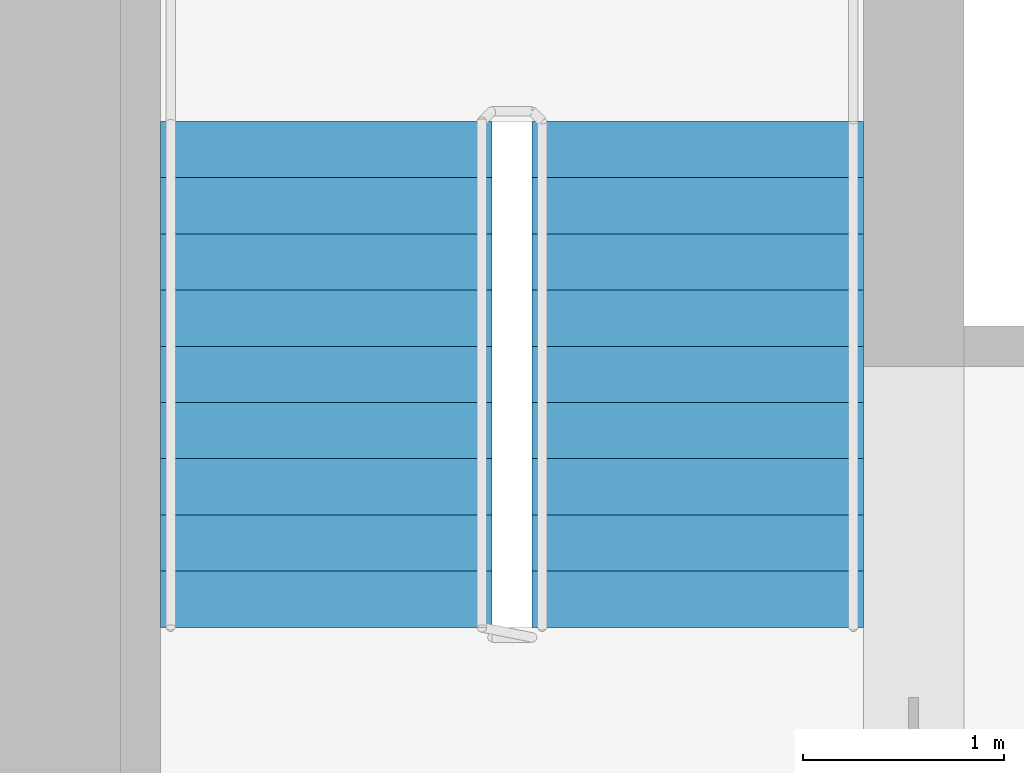
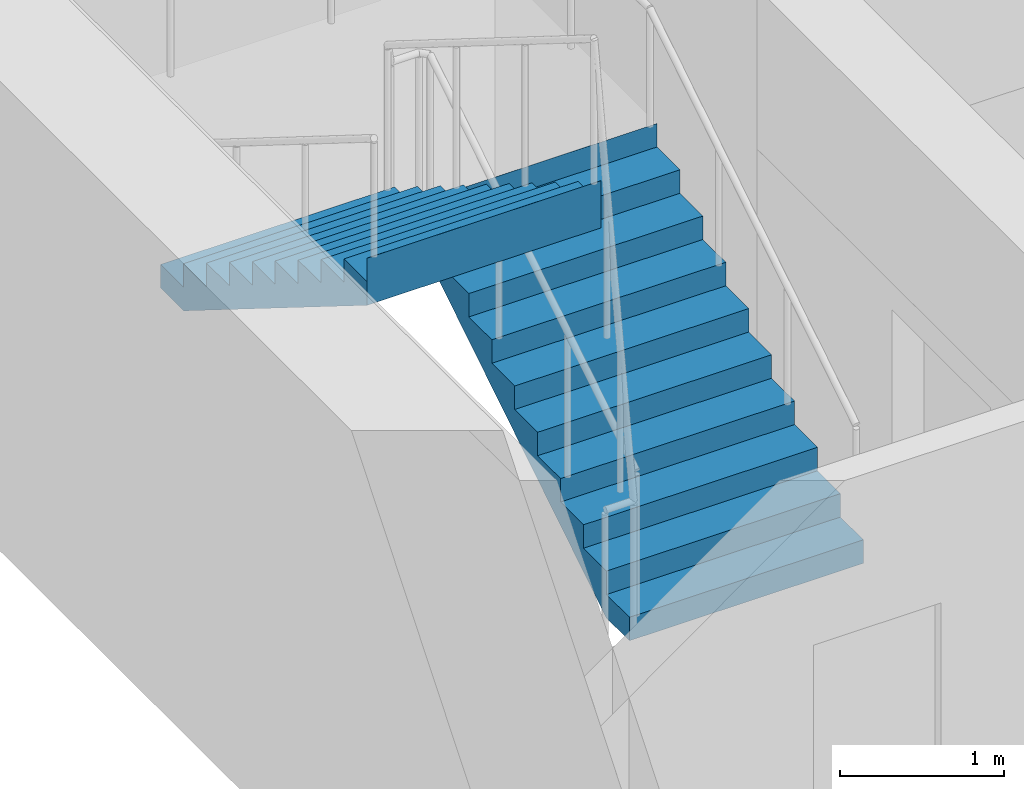
# One storey, part 13 of 14: 2 stair flights, 1 element without a shape of its own.
"""IFC4 building model written with IfcOpenShell, lengths in metres."""

from ifc_helpers import new_model, si_unit, direction, frame, origin, place, context, subcontext, project, spatial, polyline, outline, extrude, material, type_object, element, aggregate, save


model = new_model("IFC4")

# Units and contexts
model_context = context("Model", 3, precision=1e-05, world=origin(), true_north=direction((0.0, 1.0)))
body_context = subcontext(model_context, "Body", "Model", "MODEL_VIEW")
ifc_project = project(units=[si_unit("LENGTHUNIT", "METRE"), si_unit("AREAUNIT", "SQUARE_METRE"), si_unit("VOLUMEUNIT", "CUBIC_METRE"), si_unit("PLANEANGLEUNIT", "RADIAN"), si_unit("MASSUNIT", "GRAM", prefix="KILO")], contexts=[model_context])

# Site, building, storey
site_placement = place(None, origin())
site = spatial("IfcSite", under=ifc_project, at=site_placement, CompositionType="ELEMENT")
building_placement = place(site_placement, origin())
building = spatial("IfcBuilding", under=site, at=building_placement, Name="Tamorin Gate", CompositionType="ELEMENT")
storey_placement = place(building_placement, frame((0.0, 0.0, 189.699951171875)))
storey = spatial("IfcBuildingStorey", under=building, at=storey_placement, Name="L46", CompositionType="ELEMENT", Elevation=189.699951171875)

# Stair, stair flights
ifc_material = material(Name="Concrete C40/50", Category="concrete")
stair_type = type_object("IfcStairType", Name="Exit stair", PredefinedType="HALF_TURN_STAIR", material=ifc_material)
stair_placement = place(storey_placement, origin())
stair = element("IfcStair", 1, at=stair_placement, inside=storey, type_object=stair_type, Name="L46 stair ST2", PredefinedType="HALF_TURN_STAIR")
stair_flight_type = type_object("IfcStairFlightType", Name="Exit stair flight", PredefinedType="STRAIGHT", material=ifc_material)
stair_flight_1_placement = place(storey_placement, frame((33.675048828125, 77.0, 0.0), z_axis=(0.0, 0.0, 1.0), x_axis=(0.0, 1.0, 0.0)))
stair_flight_1 = element("IfcStairFlight", 2, at=stair_flight_1_placement, type_object=stair_flight_type, Name="ST2 flight 1", NumberOfRisers=10, NumberOfTreads=9, PredefinedType="STRAIGHT", RiserHeight=0.175, TreadLength=0.28, context=body_context, shape_type="SweptSolid", body=[
    extrude(outline(polyline([(-0.00048828125, 0.0), (-0.00048828125, 0.001708984375), (-0.00048828125, 0.00341796875), (-0.00048828125, 0.005126953125), (-0.00048828125, 0.0068359375), (-0.00048828125, 0.008544921875), (-0.00048828125, 0.010498046875), (-0.00048828125, 0.01220703125), (-0.00048828125, 0.013916015625), (-0.00048828125, 0.015625), (-0.00048828125, 0.017333984375), (-0.00048828125, 0.01904296875), (-0.00048828125, 0.020751953125), (-0.00048828125, 0.0224609375), (-0.00048828125, 0.024169921875), (-0.00048828125, 0.02587890625), (-0.00048828125, 0.02783203125), (-0.00048828125, 0.029541015625), (-0.00048828125, 0.03125), (-0.00048828125, 0.032958984375), (-0.00048828125, 0.03466796875), (-0.00048828125, 0.036376953125), (-0.00048828125, 0.0380859375), (-0.00048828125, 0.039794921875), (-0.00048828125, 0.04150390625), (-0.00048828125, 0.043212890625), (-0.00048828125, 0.045166015625), (-0.00048828125, 0.046875), (-0.00048828125, 0.048583984375), (-0.00048828125, 0.05029296875), (-0.00048828125, 0.052001953125), (-0.00048828125, 0.0537109375), (-0.00048828125, 0.055419921875), (-0.00048828125, 0.05712890625), (-0.00048828125, 0.058837890625), (-0.00048828125, 0.060546875), (-0.00048828125, 0.062255859375), (-0.00048828125, 0.064208984375), (-0.00048828125, 0.06591796875), (-0.00048828125, 0.067626953125), (-0.00048828125, 0.0693359375), (-0.00048828125, 0.071044921875), (-0.00048828125, 0.07275390625), (-0.00048828125, 0.074462890625), (-0.00048828125, 0.076171875), (-0.00048828125, 0.077880859375), (-0.00048828125, 0.07958984375), (-0.00048828125, 0.08154296875), (-0.00048828125, 0.083251953125), (-0.00048828125, 0.0849609375), (-0.00048828125, 0.086669921875), (-0.00048828125, 0.08837890625), (-0.00048828125, 0.090087890625), (-0.00048828125, 0.091796875), (-0.00048828125, 0.093505859375), (-0.00048828125, 0.09521484375), (-0.00048828125, 0.096923828125), (-0.00048828125, 0.098876953125), (-0.00048828125, 0.1005859375), (-0.00048828125, 0.102294921875), (-0.00048828125, 0.10400390625), (-0.00048828125, 0.105712890625), (-0.00048828125, 0.107421875), (-0.00048828125, 0.109130859375), (-0.00048828125, 0.11083984375), (-0.00048828125, 0.112548828125), (-0.00048828125, 0.1142578125), (-0.00048828125, 0.1162109375), (-0.00048828125, 0.117919921875), (-0.00048828125, 0.11962890625), (-0.00048828125, 0.121337890625), (-0.00048828125, 0.123046875), (-0.00048828125, 0.124755859375), (-0.00048828125, 0.12646484375), (-0.00048828125, 0.128173828125), (-0.00048828125, 0.1298828125), (-0.00048828125, 0.131591796875), (-0.00048828125, 0.13330078125), (-0.00048828125, 0.13525390625), (-0.00048828125, 0.136962890625), (-0.00048828125, 0.138671875), (-0.00048828125, 0.140380859375), (-0.00048828125, 0.14208984375), (-0.00048828125, 0.143798828125), (-0.00048828125, 0.1455078125), (-0.00048828125, 0.147216796875), (-0.00048828125, 0.14892578125), (-0.00048828125, 0.150634765625), (-0.00048828125, 0.152587890625), (-0.00048828125, 0.154296875), (-0.00048828125, 0.156005859375), (-0.00048828125, 0.15771484375), (-0.00048828125, 0.159423828125), (-0.00048828125, 0.1611328125), (-0.00048828125, 0.162841796875), (-0.00048828125, 0.16455078125), (-0.00048828125, 0.166259765625), (-0.00048828125, 0.16796875), (-0.00048828125, 0.169921875), (-0.00048828125, 0.171630859375), (-0.00048828125, 0.17333984375), (-0.00048828125, 0.175048828125), (0.280029296875, 0.175048828125), (0.280029296875, 0.35009765625), (0.56005859375, 0.35009765625), (0.56005859375, 0.52490234375), (0.840087890625, 0.52490234375), (0.840087890625, 0.699951171875), (1.1201171875, 0.699951171875), (1.1201171875, 0.875), (1.39990234375, 0.875), (1.39990234375, 1.050048828125), (1.679931640625, 1.050048828125), (1.679931640625, 1.22509765625), (1.9599609375, 1.22509765625), (1.9599609375, 1.39990234375), (2.239990234375, 1.39990234375), (2.239990234375, 1.574951171875), (2.52001953125, 1.574951171875), (2.52001953125, 1.75), (2.5205078125, 1.75), (2.5205078125, 1.74658203125), (2.5205078125, 1.742919921875), (2.5205078125, 1.739501953125), (2.5205078125, 1.736083984375), (2.5205078125, 1.732666015625), (2.5205078125, 1.72900390625), (2.5205078125, 1.7255859375), (2.5205078125, 1.72216796875), (2.5205078125, 1.71875), (2.5205078125, 1.715087890625), (2.5205078125, 1.711669921875), (2.5205078125, 1.708251953125), (2.5205078125, 1.704833984375), (2.5205078125, 1.701171875), (2.5205078125, 1.69775390625), (2.5205078125, 1.6943359375), (2.5205078125, 1.690673828125), (2.5205078125, 1.687255859375), (2.5205078125, 1.683837890625), (2.5205078125, 1.680419921875), (2.5205078125, 1.6767578125), (2.5205078125, 1.67333984375), (2.5205078125, 1.669921875), (2.5205078125, 1.66650390625), (2.5205078125, 1.662841796875), (2.5205078125, 1.659423828125), (2.5205078125, 1.656005859375), (2.5205078125, 1.652587890625), (2.5205078125, 1.64892578125), (2.5205078125, 1.6455078125), (2.5205078125, 1.64208984375), (2.5205078125, 1.638427734375), (2.5205078125, 1.635009765625), (2.5205078125, 1.631591796875), (2.5205078125, 1.628173828125), (2.5205078125, 1.62451171875), (2.5205078125, 1.62109375), (2.5205078125, 1.61767578125), (2.5205078125, 1.6142578125), (2.5205078125, 1.610595703125), (2.5205078125, 1.607177734375), (2.5205078125, 1.603759765625), (2.5205078125, 1.600341796875), (2.5205078125, 1.5966796875), (2.5205078125, 1.59326171875), (2.5205078125, 1.58984375), (2.5205078125, 1.58642578125), (2.5205078125, 1.582763671875), (2.5205078125, 1.579345703125), (2.5205078125, 1.575927734375), (2.5205078125, 1.572265625), (2.5205078125, 1.56884765625), (2.5205078125, 1.5654296875), (2.5205078125, 1.56201171875), (2.5205078125, 1.558349609375), (2.5205078125, 1.554931640625), (2.5205078125, 1.551513671875), (2.5205078125, 1.548095703125), (2.5205078125, 1.54443359375), (2.5205078125, 1.541015625), (2.5205078125, 1.53759765625), (2.5205078125, 1.5341796875), (2.5205078125, 1.530517578125), (2.5205078125, 1.527099609375), (2.5205078125, 1.523681640625), (2.5205078125, 1.52001953125), (2.5205078125, 1.5166015625), (2.5205078125, 1.51318359375), (2.5205078125, 1.509765625), (2.5205078125, 1.506103515625), (2.5205078125, 1.502685546875), (2.5205078125, 1.499267578125), (2.5205078125, 1.495849609375), (2.5205078125, 1.4921875), (2.5205078125, 1.48876953125), (2.5205078125, 1.4853515625), (2.5205078125, 1.48193359375), (2.5205078125, 1.478271484375), (2.5205078125, 1.474853515625), (2.5205078125, 1.471435546875), (2.5205078125, 1.4677734375), (2.5205078125, 1.46435546875), (2.5205078125, 1.4609375), (2.5205078125, 1.45751953125), (2.5205078125, 1.453857421875), (2.5205078125, 1.450439453125), (2.5205078125, 1.447021484375), (2.5205078125, 1.443603515625), (2.5205078125, 1.43994140625), (2.5205078125, 1.4365234375), (2.5205078125, 1.43310546875), (2.5205078125, 1.4296875), (2.5205078125, 1.426025390625), (2.5205078125, 1.422607421875), (2.5205078125, 1.419189453125), (2.5205078125, 1.41552734375), (2.5205078125, 1.412109375), (2.5205078125, 1.40869140625), (2.5205078125, 1.4052734375), (2.5205078125, 1.401611328125), (2.5205078125, 1.398193359375), (2.52001953125, 1.398193359375), (0.28271484375, 0.0), (-0.00048828125, 0.0)])), frame((0.0, 0.824951171875, 0.0), z_axis=(0.0, -1.0, 0.0), x_axis=(1.0, 0.0, 0.0)), (0.0, 0.0, 1.0), 1.64990234375),
])
stair_flight_2_placement = place(storey_placement, frame((31.824951171875, 79.52001953125, 1.75), z_axis=(0.0, 0.0, 1.0), x_axis=(0.0, -1.0, 0.0)))
stair_flight_2 = element("IfcStairFlight", 3, at=stair_flight_2_placement, type_object=stair_flight_type, Name="ST2 flight 2", NumberOfRisers=10, NumberOfTreads=9, PredefinedType="STRAIGHT", RiserHeight=0.175, TreadLength=0.28, context=body_context, shape_type="SweptSolid", body=[
    extrude(outline(polyline([(-0.00048828125, 0.0), (-0.00048828125, 0.001708984375), (-0.00048828125, 0.00341796875), (-0.00048828125, 0.005126953125), (-0.00048828125, 0.0068359375), (-0.00048828125, 0.008544921875), (-0.00048828125, 0.010498046875), (-0.00048828125, 0.01220703125), (-0.00048828125, 0.013916015625), (-0.00048828125, 0.015625), (-0.00048828125, 0.017333984375), (-0.00048828125, 0.01904296875), (-0.00048828125, 0.020751953125), (-0.00048828125, 0.0224609375), (-0.00048828125, 0.024169921875), (-0.00048828125, 0.02587890625), (-0.00048828125, 0.02783203125), (-0.00048828125, 0.029541015625), (-0.00048828125, 0.03125), (-0.00048828125, 0.032958984375), (-0.00048828125, 0.03466796875), (-0.00048828125, 0.036376953125), (-0.00048828125, 0.0380859375), (-0.00048828125, 0.039794921875), (-0.00048828125, 0.04150390625), (-0.00048828125, 0.043212890625), (-0.00048828125, 0.045166015625), (-0.00048828125, 0.046875), (-0.00048828125, 0.048583984375), (-0.00048828125, 0.05029296875), (-0.00048828125, 0.052001953125), (-0.00048828125, 0.0537109375), (-0.00048828125, 0.055419921875), (-0.00048828125, 0.05712890625), (-0.00048828125, 0.058837890625), (-0.00048828125, 0.060546875), (-0.00048828125, 0.062255859375), (-0.00048828125, 0.064208984375), (-0.00048828125, 0.06591796875), (-0.00048828125, 0.067626953125), (-0.00048828125, 0.0693359375), (-0.00048828125, 0.071044921875), (-0.00048828125, 0.07275390625), (-0.00048828125, 0.074462890625), (-0.00048828125, 0.076171875), (-0.00048828125, 0.077880859375), (-0.00048828125, 0.07958984375), (-0.00048828125, 0.08154296875), (-0.00048828125, 0.083251953125), (-0.00048828125, 0.0849609375), (-0.00048828125, 0.086669921875), (-0.00048828125, 0.08837890625), (-0.00048828125, 0.090087890625), (-0.00048828125, 0.091796875), (-0.00048828125, 0.093505859375), (-0.00048828125, 0.09521484375), (-0.00048828125, 0.096923828125), (-0.00048828125, 0.098876953125), (-0.00048828125, 0.1005859375), (-0.00048828125, 0.102294921875), (-0.00048828125, 0.10400390625), (-0.00048828125, 0.105712890625), (-0.00048828125, 0.107421875), (-0.00048828125, 0.109130859375), (-0.00048828125, 0.11083984375), (-0.00048828125, 0.112548828125), (-0.00048828125, 0.1142578125), (-0.00048828125, 0.1162109375), (-0.00048828125, 0.117919921875), (-0.00048828125, 0.11962890625), (-0.00048828125, 0.121337890625), (-0.00048828125, 0.123046875), (-0.00048828125, 0.124755859375), (-0.00048828125, 0.12646484375), (-0.00048828125, 0.128173828125), (-0.00048828125, 0.1298828125), (-0.00048828125, 0.131591796875), (-0.00048828125, 0.13330078125), (-0.00048828125, 0.13525390625), (-0.00048828125, 0.136962890625), (-0.00048828125, 0.138671875), (-0.00048828125, 0.140380859375), (-0.00048828125, 0.14208984375), (-0.00048828125, 0.143798828125), (-0.00048828125, 0.1455078125), (-0.00048828125, 0.147216796875), (-0.00048828125, 0.14892578125), (-0.00048828125, 0.150634765625), (-0.00048828125, 0.152587890625), (-0.00048828125, 0.154296875), (-0.00048828125, 0.156005859375), (-0.00048828125, 0.15771484375), (-0.00048828125, 0.159423828125), (-0.00048828125, 0.1611328125), (-0.00048828125, 0.162841796875), (-0.00048828125, 0.16455078125), (-0.00048828125, 0.166259765625), (-0.00048828125, 0.16796875), (-0.00048828125, 0.169921875), (-0.00048828125, 0.171630859375), (-0.00048828125, 0.17333984375), (-0.00048828125, 0.175048828125), (0.280029296875, 0.175048828125), (0.280029296875, 0.35009765625), (0.56005859375, 0.35009765625), (0.56005859375, 0.52490234375), (0.840087890625, 0.52490234375), (0.840087890625, 0.699951171875), (1.1201171875, 0.699951171875), (1.1201171875, 0.875), (1.39990234375, 0.875), (1.39990234375, 1.050048828125), (1.679931640625, 1.050048828125), (1.679931640625, 1.22509765625), (1.9599609375, 1.22509765625), (1.9599609375, 1.39990234375), (2.239990234375, 1.39990234375), (2.239990234375, 1.574951171875), (2.52001953125, 1.574951171875), (2.52001953125, 1.75), (2.5205078125, 1.75), (2.5205078125, 1.74658203125), (2.5205078125, 1.742919921875), (2.5205078125, 1.739501953125), (2.5205078125, 1.736083984375), (2.5205078125, 1.732666015625), (2.5205078125, 1.72900390625), (2.5205078125, 1.7255859375), (2.5205078125, 1.72216796875), (2.5205078125, 1.71875), (2.5205078125, 1.715087890625), (2.5205078125, 1.711669921875), (2.5205078125, 1.708251953125), (2.5205078125, 1.704833984375), (2.5205078125, 1.701171875), (2.5205078125, 1.69775390625), (2.5205078125, 1.6943359375), (2.5205078125, 1.690673828125), (2.5205078125, 1.687255859375), (2.5205078125, 1.683837890625), (2.5205078125, 1.680419921875), (2.5205078125, 1.6767578125), (2.5205078125, 1.67333984375), (2.5205078125, 1.669921875), (2.5205078125, 1.66650390625), (2.5205078125, 1.662841796875), (2.5205078125, 1.659423828125), (2.5205078125, 1.656005859375), (2.5205078125, 1.652587890625), (2.5205078125, 1.64892578125), (2.5205078125, 1.6455078125), (2.5205078125, 1.64208984375), (2.5205078125, 1.638427734375), (2.5205078125, 1.635009765625), (2.5205078125, 1.631591796875), (2.5205078125, 1.628173828125), (2.5205078125, 1.62451171875), (2.5205078125, 1.62109375), (2.5205078125, 1.61767578125), (2.5205078125, 1.6142578125), (2.5205078125, 1.610595703125), (2.5205078125, 1.607177734375), (2.5205078125, 1.603759765625), (2.5205078125, 1.600341796875), (2.5205078125, 1.5966796875), (2.5205078125, 1.59326171875), (2.5205078125, 1.58984375), (2.5205078125, 1.58642578125), (2.5205078125, 1.582763671875), (2.5205078125, 1.579345703125), (2.5205078125, 1.575927734375), (2.5205078125, 1.572265625), (2.5205078125, 1.56884765625), (2.5205078125, 1.5654296875), (2.5205078125, 1.56201171875), (2.5205078125, 1.558349609375), (2.5205078125, 1.554931640625), (2.5205078125, 1.551513671875), (2.5205078125, 1.548095703125), (2.5205078125, 1.54443359375), (2.5205078125, 1.541015625), (2.5205078125, 1.53759765625), (2.5205078125, 1.5341796875), (2.5205078125, 1.530517578125), (2.5205078125, 1.527099609375), (2.5205078125, 1.523681640625), (2.5205078125, 1.52001953125), (2.5205078125, 1.5166015625), (2.5205078125, 1.51318359375), (2.5205078125, 1.509765625), (2.5205078125, 1.506103515625), (2.5205078125, 1.502685546875), (2.5205078125, 1.499267578125), (2.5205078125, 1.495849609375), (2.5205078125, 1.4921875), (2.5205078125, 1.48876953125), (2.5205078125, 1.4853515625), (2.5205078125, 1.48193359375), (2.5205078125, 1.478271484375), (2.5205078125, 1.474853515625), (2.5205078125, 1.471435546875), (2.5205078125, 1.4677734375), (2.5205078125, 1.46435546875), (2.5205078125, 1.4609375), (2.5205078125, 1.45751953125), (2.5205078125, 1.453857421875), (2.5205078125, 1.450439453125), (2.5205078125, 1.447021484375), (2.5205078125, 1.443603515625), (2.5205078125, 1.43994140625), (2.5205078125, 1.4365234375), (2.5205078125, 1.43310546875), (2.5205078125, 1.4296875), (2.5205078125, 1.426025390625), (2.5205078125, 1.422607421875), (2.5205078125, 1.419189453125), (2.5205078125, 1.41552734375), (2.5205078125, 1.412109375), (2.5205078125, 1.40869140625), (2.5205078125, 1.4052734375), (2.5205078125, 1.401611328125), (2.5205078125, 1.398193359375), (2.52001953125, 1.398193359375), (0.28271484375, 0.0), (-0.00048828125, 0.0)])), frame((0.0, 0.824951171875, 0.0), z_axis=(0.0, -1.0, 0.0), x_axis=(1.0, 0.0, 0.0)), (0.0, 0.0, 1.0), 1.64990234375),
])
aggregate(stair, [stair_flight_1, stair_flight_2])

save(model, "model.ifc")
